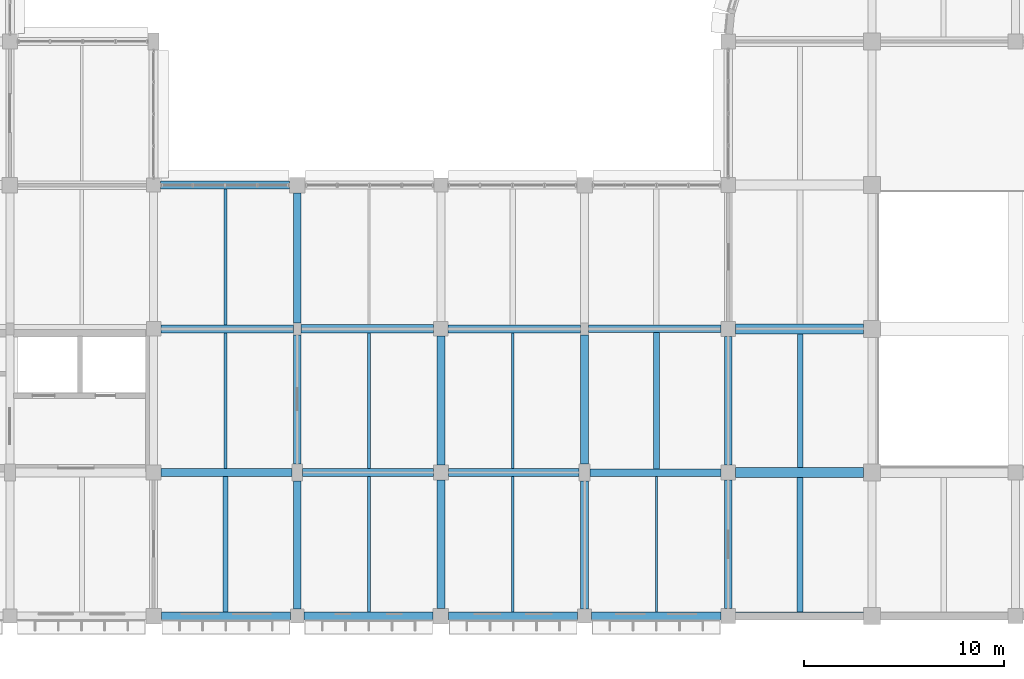
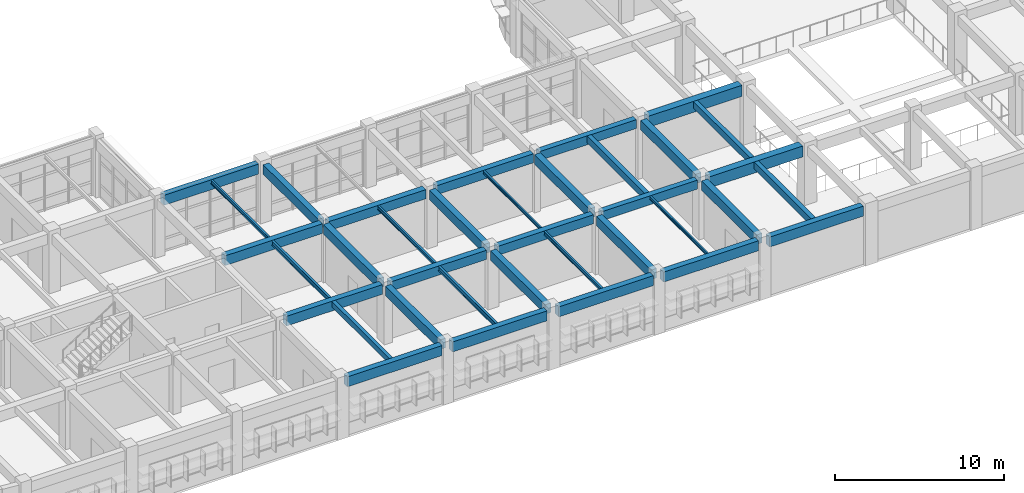
# One storey, part 14 of 171: 36 beams.
"""IFC4 building model written with IfcOpenShell, lengths in metres."""

from ifc_helpers import new_model, si_unit, direction, frame, origin, origin_2d, place, context, subcontext, project, spatial, rectangle, i_section, extrude, material, material_profile, profile_set, type_object, element, save


model = new_model("IFC4")

# Units and contexts
model_context = context("Model", 3, precision=1e-05, world=origin(), true_north=direction((0.0, 1.0)))
body_context = subcontext(model_context, "Body", "Model", "MODEL_VIEW")
ifc_project = project(units=[si_unit("LENGTHUNIT", "METRE"), si_unit("AREAUNIT", "SQUARE_METRE"), si_unit("VOLUMEUNIT", "CUBIC_METRE"), si_unit("PLANEANGLEUNIT", "RADIAN"), si_unit("MASSUNIT", "GRAM", prefix="KILO")], contexts=[model_context])

# Site, building, storey
site_placement = place(None, origin())
site = spatial("IfcSite", under=ifc_project, at=site_placement, CompositionType="ELEMENT")
building_placement = place(site_placement, origin())
building = spatial("IfcBuilding", under=site, at=building_placement, Name="Thalmaran Polytechnic", CompositionType="ELEMENT")
storey_placement = place(building_placement, frame((0.0, 0.0, 5.39990234375)))
storey = spatial("IfcBuildingStorey", under=building, at=storey_placement, Name="L01", CompositionType="ELEMENT", Elevation=5.39990234375)

# Beams
ifc_material_1 = material(Name="Concrete C40/50", Category="concrete")
ifc_material_profile_1 = material_profile(ifc_material_1, rectangle(XDim=0.5, YDim=0.800048828125, at=origin_2d()), Name="RC 500x800")
ifc_profile_set_1 = profile_set([ifc_material_profile_1], Name="Concrete C40/50")
beam_type_1 = type_object("IfcBeamType", Name="BM-RC02", PredefinedType="BEAM", material=ifc_profile_set_1)
for number, where, z_axis, x_axis, name in (
    (1, (57.97509765625, 7.199951171875, 3.81005859375), (1.0, 0.0, 0.0), (0.0, 1.0, 0.0), "Grid Beam B02 L01 X(8,1)"),
    (2, (57.97509765625, 14.39990234375, 3.81005859375), (1.0, 0.0, 0.0), (0.0, 1.0, 0.0), "Grid Beam B02 L01 X(8,2)"),
):
    element("IfcBeam", number, at=place(storey_placement, frame(where, z_axis=z_axis, x_axis=x_axis)), inside=storey, type_object=beam_type_1, Name=name, PredefinedType="BEAM", context=body_context, shape_type="SweptSolid", body=[
        extrude(rectangle(XDim=0.5, YDim=0.800048828125, at=origin_2d()), origin(), (0.0, 0.0, 1.0), 6.39990234375),
    ])
ifc_material_profile_2 = material_profile(ifc_material_1, rectangle(XDim=0.39990234375, YDim=0.699951171875, at=origin_2d()), Name="RC 400x700")
ifc_profile_set_2 = profile_set([ifc_material_profile_2], Name="Concrete C40/50")
beam_type_2 = type_object("IfcBeamType", Name="BM-RC05", PredefinedType="BEAM", material=ifc_profile_set_2)
beam_1_placement = place(storey_placement, frame((29.175048828125, 7.199951171875, 3.860107421875), z_axis=(1.0, 0.0, 0.0), x_axis=(0.0, 1.0, 0.0)))
element("IfcBeam", 3, at=beam_1_placement, inside=storey, type_object=beam_type_2, Name="Grid Beam B05 L01 X(4,1)", PredefinedType="BEAM", context=body_context, shape_type="SweptSolid", body=[
    extrude(rectangle(XDim=0.39990234375, YDim=0.699951171875, at=origin_2d()), origin(), (0.0, 0.0, 1.0), 6.550048828125),
])
beam_2_placement = place(storey_placement, frame((29.159912109375, 14.39990234375, 3.860107421875), z_axis=(1.0, 0.0, 0.0), x_axis=(0.0, 1.0, 0.0)))
element("IfcBeam", 4, at=beam_2_placement, inside=storey, type_object=beam_type_2, Name="Grid Beam B05 L01 X(4,2)", PredefinedType="BEAM", context=body_context, shape_type="SweptSolid", body=[
    extrude(rectangle(XDim=0.39990234375, YDim=0.699951171875, at=origin_2d()), origin(), (0.0, 0.0, 1.0), 6.64013671875),
])
ifc_material_profile_3 = material_profile(ifc_material_1, rectangle(XDim=0.39990234375, YDim=0.64990234375, at=origin_2d()), Name="RC 400x650")
ifc_profile_set_3 = profile_set([ifc_material_profile_3], Name="Concrete C40/50")
beam_type_3 = type_object("IfcBeamType", Name="BM-RC06", PredefinedType="BEAM", material=ifc_profile_set_3)
beam_3_placement = place(storey_placement, frame((43.574951171875, 7.199951171875, 3.885009765625), z_axis=(1.0, 0.0, 0.0), x_axis=(0.0, 1.0, 0.0)))
element("IfcBeam", 5, at=beam_3_placement, inside=storey, type_object=beam_type_3, Name="Grid Beam B06 L01 X(6,1)", PredefinedType="BEAM", context=body_context, shape_type="SweptSolid", body=[
    extrude(rectangle(XDim=0.39990234375, YDim=0.64990234375, at=origin_2d()), origin(), (0.0, 0.0, 1.0), 6.550048828125),
])
beam_4_placement = place(storey_placement, frame((43.56005859375, 14.39990234375, 3.885009765625), z_axis=(1.0, 0.0, 0.0), x_axis=(0.0, 1.0, 0.0)))
element("IfcBeam", 6, at=beam_4_placement, inside=storey, type_object=beam_type_3, Name="Grid Beam B06 L01 X(6,2)", PredefinedType="BEAM", context=body_context, shape_type="SweptSolid", body=[
    extrude(rectangle(XDim=0.39990234375, YDim=0.64990234375, at=origin_2d()), origin(), (0.0, 0.0, 1.0), 6.639892578125),
])
ifc_material_profile_4 = material_profile(ifc_material_1, rectangle(XDim=0.389892578125, YDim=0.68505859375, at=origin_2d()), Name="RC 390x685")
ifc_profile_set_4 = profile_set([ifc_material_profile_4], Name="Concrete C40/50")
beam_type_4 = type_object("IfcBeamType", Name="BM-RC08", PredefinedType="BEAM", material=ifc_profile_set_4)
beam_5_placement = place(storey_placement, frame((36.0, 0.35009765625, 3.86767578125), z_axis=(0.0, 1.0, 0.0), x_axis=(-1.0, 0.0, 0.0)))
element("IfcBeam", 7, at=beam_5_placement, inside=storey, type_object=beam_type_4, Name="Grid Beam B08 L01 Y(5,0)", PredefinedType="BEAM", context=body_context, shape_type="SweptSolid", body=[
    extrude(rectangle(XDim=0.389892578125, YDim=0.68505859375, at=origin_2d()), origin(), (0.0, 0.0, 1.0), 6.4248046875),
])
beam_6_placement = place(storey_placement, frame((43.199951171875, 0.389892578125, 3.86767578125), z_axis=(0.0, 1.0, 0.0), x_axis=(-1.0, 0.0, 0.0)))
element("IfcBeam", 8, at=beam_6_placement, inside=storey, type_object=beam_type_4, Name="Grid Beam B08 L01 Y(6,0)", PredefinedType="BEAM", context=body_context, shape_type="SweptSolid", body=[
    extrude(rectangle(XDim=0.389892578125, YDim=0.68505859375, at=origin_2d()), origin(), (0.0, 0.0, 1.0), 6.43505859375),
])
beam_7_placement = place(storey_placement, frame((50.39990234375, 0.35009765625, 3.86767578125), z_axis=(0.0, 1.0, 0.0), x_axis=(-1.0, 0.0, 0.0)))
element("IfcBeam", 9, at=beam_7_placement, inside=storey, type_object=beam_type_4, Name="Grid Beam B08 L01 Y(7,0)", PredefinedType="BEAM", context=body_context, shape_type="SweptSolid", body=[
    extrude(rectangle(XDim=0.389892578125, YDim=0.68505859375, at=origin_2d()), origin(), (0.0, 0.0, 1.0), 6.4248046875),
])
beam_8_placement = place(storey_placement, frame((57.60009765625, 0.375, 3.86767578125), z_axis=(0.0, 1.0, 0.0), x_axis=(-1.0, 0.0, 0.0)))
element("IfcBeam", 10, at=beam_8_placement, inside=storey, type_object=beam_type_4, Name="Grid Beam B08 L01 Y(8,0)", PredefinedType="BEAM", context=body_context, shape_type="SweptSolid", body=[
    extrude(rectangle(XDim=0.389892578125, YDim=0.68505859375, at=origin_2d()), origin(), (0.0, 0.0, 1.0), 6.449951171875),
])
ifc_material_profile_5 = material_profile(ifc_material_1, rectangle(XDim=0.389892578125, YDim=0.68994140625, at=origin_2d()), Name="RC 390x690")
ifc_profile_set_5 = profile_set([ifc_material_profile_5], Name="Concrete C40/50")
beam_type_5 = type_object("IfcBeamType", Name="BM-RC09", PredefinedType="BEAM", material=ifc_profile_set_5)
beam_9_placement = place(storey_placement, frame((36.0, 14.699951171875, 3.864990234375), z_axis=(0.0, 1.0, 0.0), x_axis=(-1.0, 0.0, 0.0)))
element("IfcBeam", 11, at=beam_9_placement, inside=storey, type_object=beam_type_5, Name="Grid Beam B09 L01 Y(5,2)", PredefinedType="BEAM", context=body_context, shape_type="SweptSolid", body=[
    extrude(rectangle(XDim=0.389892578125, YDim=0.68994140625, at=origin_2d()), origin(), (0.0, 0.0, 1.0), 6.510009765625),
])
ifc_material_profile_6 = material_profile(ifc_material_1, rectangle(XDim=0.300048828125, YDim=0.5, at=origin_2d()), Name="RC 300x500")
ifc_profile_set_6 = profile_set([ifc_material_profile_6], Name="Concrete C40/50")
beam_type_6 = type_object("IfcBeamType", Name="BM-RC11", PredefinedType="JOIST", material=ifc_profile_set_6)
beam_10_placement = place(storey_placement, frame((54.0, 7.389892578125, 3.960205078125), z_axis=(0.0, 1.0, 0.0), x_axis=(-1.0, 0.0, 0.0)))
element("IfcBeam", 12, at=beam_10_placement, inside=storey, type_object=beam_type_6, Name="Secondary Floor Rib RB01 L01 (7,1)", PredefinedType="JOIST", context=body_context, shape_type="SweptSolid", body=[
    extrude(rectangle(XDim=0.300048828125, YDim=0.5, at=origin_2d()), origin(), (0.0, 0.0, 1.0), 6.820068359375),
])
beam_11_placement = place(storey_placement, frame((61.199951171875, 0.199951171875, 3.960205078125), z_axis=(0.0, 1.0, 0.0), x_axis=(-1.0, 0.0, 0.0)))
element("IfcBeam", 13, at=beam_11_placement, inside=storey, type_object=beam_type_6, Name="Secondary Floor Rib RB01 L01 (8,0)", PredefinedType="JOIST", context=body_context, shape_type="SweptSolid", body=[
    extrude(rectangle(XDim=0.300048828125, YDim=0.5, at=origin_2d()), origin(), (0.0, 0.0, 1.0), 6.75),
])
ifc_material_2 = material(Name="Steel S355", Category="steel")
ifc_material_profile_7 = material_profile(ifc_material_2, i_section(OverallWidth=0.159912109375, OverallDepth=0.330078125, WebThickness=0.007568359375, FlangeThickness=0.011474609375, at=origin_2d()), Name="IPE 330")
ifc_profile_set_7 = profile_set([ifc_material_profile_7], Name="Steel S355")
beam_type_7 = type_object("IfcBeamType", Name="BM-SJ02", PredefinedType="JOIST", material=ifc_profile_set_7)
beam_12_placement = place(storey_placement, frame((32.39990234375, 7.39990234375, 4.045166015625), z_axis=(0.0, 1.0, 0.0), x_axis=(-1.0, 0.0, 0.0)))
element("IfcBeam", 14, at=beam_12_placement, inside=storey, type_object=beam_type_7, Name="Secondary Floor Rib SJ02 L01 (4,1)", PredefinedType="JOIST", context=body_context, shape_type="SweptSolid", body=[
    extrude(i_section(OverallWidth=0.159912109375, OverallDepth=0.330078125, WebThickness=0.007568359375, FlangeThickness=0.011474609375, at=origin_2d()), origin(), (0.0, 0.0, 1.0), 6.800048828125),
])
beam_13_placement = place(storey_placement, frame((39.60009765625, 0.199951171875, 4.045166015625), z_axis=(0.0, 1.0, 0.0), x_axis=(-1.0, 0.0, 0.0)))
element("IfcBeam", 15, at=beam_13_placement, inside=storey, type_object=beam_type_7, Name="Secondary Floor Rib SJ02 L01 (5,0)", PredefinedType="JOIST", context=body_context, shape_type="SweptSolid", body=[
    extrude(i_section(OverallWidth=0.159912109375, OverallDepth=0.330078125, WebThickness=0.007568359375, FlangeThickness=0.011474609375, at=origin_2d()), origin(), (0.0, 0.0, 1.0), 6.7900390625),
])
ifc_material_profile_8 = material_profile(ifc_material_2, i_section(OverallWidth=0.135009765625, OverallDepth=0.27001953125, WebThickness=0.006591796875, FlangeThickness=0.01025390625, at=origin_2d()), Name="IPE 270")
ifc_profile_set_8 = profile_set([ifc_material_profile_8], Name="Steel S355")
beam_type_8 = type_object("IfcBeamType", Name="BM-SJ03", PredefinedType="JOIST", material=ifc_profile_set_8)
beam_14_placement = place(storey_placement, frame((32.39990234375, 14.60009765625, 4.0751953125), z_axis=(0.0, 1.0, 0.0), x_axis=(-1.0, 0.0, 0.0)))
element("IfcBeam", 16, at=beam_14_placement, inside=storey, type_object=beam_type_8, Name="Secondary Floor Rib SJ03 L01 (4,2)", PredefinedType="JOIST", context=body_context, shape_type="SweptSolid", body=[
    extrude(i_section(OverallWidth=0.135009765625, OverallDepth=0.27001953125, WebThickness=0.006591796875, FlangeThickness=0.01025390625, at=origin_2d()), origin(), (0.0, 0.0, 1.0), 6.7998046875),
])
beam_15_placement = place(storey_placement, frame((39.60009765625, 7.409912109375, 4.0751953125), z_axis=(0.0, 1.0, 0.0), x_axis=(-1.0, 0.0, 0.0)))
element("IfcBeam", 17, at=beam_15_placement, inside=storey, type_object=beam_type_8, Name="Secondary Floor Rib SJ03 L01 (5,1)", PredefinedType="JOIST", context=body_context, shape_type="SweptSolid", body=[
    extrude(i_section(OverallWidth=0.135009765625, OverallDepth=0.27001953125, WebThickness=0.006591796875, FlangeThickness=0.01025390625, at=origin_2d()), origin(), (0.0, 0.0, 1.0), 6.780029296875),
])
beam_16_placement = place(storey_placement, frame((46.800048828125, 0.199951171875, 4.0751953125), z_axis=(0.0, 1.0, 0.0), x_axis=(-1.0, 0.0, 0.0)))
element("IfcBeam", 18, at=beam_16_placement, inside=storey, type_object=beam_type_8, Name="Secondary Floor Rib SJ03 L01 (6,0)", PredefinedType="JOIST", context=body_context, shape_type="SweptSolid", body=[
    extrude(i_section(OverallWidth=0.135009765625, OverallDepth=0.27001953125, WebThickness=0.006591796875, FlangeThickness=0.01025390625, at=origin_2d()), origin(), (0.0, 0.0, 1.0), 6.800048828125),
])
ifc_material_profile_9 = material_profile(ifc_material_2, i_section(OverallWidth=0.110107421875, OverallDepth=0.219970703125, WebThickness=0.005859375, FlangeThickness=0.00927734375, at=origin_2d()), Name="IPE 220")
ifc_profile_set_9 = profile_set([ifc_material_profile_9], Name="Steel S355")
beam_type_9 = type_object("IfcBeamType", Name="BM-SJ04", PredefinedType="JOIST", material=ifc_profile_set_9)
beam_17_placement = place(storey_placement, frame((46.800048828125, 7.39990234375, 4.10009765625), z_axis=(0.0, 1.0, 0.0), x_axis=(-1.0, 0.0, 0.0)))
element("IfcBeam", 19, at=beam_17_placement, inside=storey, type_object=beam_type_9, Name="Secondary Floor Rib SJ04 L01 (6,1)", PredefinedType="JOIST", context=body_context, shape_type="SweptSolid", body=[
    extrude(i_section(OverallWidth=0.110107421875, OverallDepth=0.219970703125, WebThickness=0.005859375, FlangeThickness=0.00927734375, at=origin_2d()), origin(), (0.0, 0.0, 1.0), 6.800048828125),
])
beam_18_placement = place(storey_placement, frame((54.0, 0.199951171875, 4.10009765625), z_axis=(0.0, 1.0, 0.0), x_axis=(-1.0, 0.0, 0.0)))
element("IfcBeam", 20, at=beam_18_placement, inside=storey, type_object=beam_type_9, Name="Secondary Floor Rib SJ04 L01 (7,0)", PredefinedType="JOIST", context=body_context, shape_type="SweptSolid", body=[
    extrude(i_section(OverallWidth=0.110107421875, OverallDepth=0.219970703125, WebThickness=0.005859375, FlangeThickness=0.00927734375, at=origin_2d()), origin(), (0.0, 0.0, 1.0), 6.81005859375),
])
ifc_material_profile_10 = material_profile(ifc_material_1, rectangle(XDim=0.39990234375, YDim=0.719970703125, at=origin_2d()), Name="RC 400x720")
ifc_profile_set_10 = profile_set([ifc_material_profile_10], Name="Concrete C40/50")
beam_type_10 = type_object("IfcBeamType", Name="BM-SP01", PredefinedType="SPANDREL", material=ifc_profile_set_10)
beam_19_placement = place(storey_placement, frame((29.18994140625, 0.0, 3.85009765625), z_axis=(1.0, 0.0, 0.0), x_axis=(0.0, 1.0, 0.0)))
element("IfcBeam", 21, at=beam_19_placement, inside=storey, type_object=beam_type_10, Name="Grid Beam SP01 L01 X(4,0)", PredefinedType="SPANDREL", context=body_context, shape_type="SweptSolid", body=[
    extrude(rectangle(XDim=0.39990234375, YDim=0.719970703125, at=origin_2d()), origin(), (0.0, 0.0, 1.0), 6.4599609375),
])
beam_20_placement = place(storey_placement, frame((29.14990234375, 21.60009765625, 3.85009765625), z_axis=(1.0, 0.0, 0.0), x_axis=(0.0, 1.0, 0.0)))
element("IfcBeam", 22, at=beam_20_placement, inside=storey, type_object=beam_type_10, Name="Grid Beam SP01 L01 X(4,3)", PredefinedType="SPANDREL", context=body_context, shape_type="SweptSolid", body=[
    extrude(rectangle(XDim=0.39990234375, YDim=0.719970703125, at=origin_2d()), origin(), (0.0, 0.0, 1.0), 6.460205078125),
])
for number, where, z_axis, x_axis, name in (
    (23, (36.35009765625, 0.0, 3.85009765625), (1.0, 0.0, 0.0), (0.0, 1.0, 0.0), "Grid Beam SP01 L01 X(5,0)"),
    (24, (43.590087890625, 0.0, 3.85009765625), (1.0, 0.0, 0.0), (0.0, 1.0, 0.0), "Grid Beam SP01 L01 X(6,0)"),
):
    element("IfcBeam", number, at=place(storey_placement, frame(where, z_axis=z_axis, x_axis=x_axis)), inside=storey, type_object=beam_type_10, Name=name, PredefinedType="SPANDREL", context=body_context, shape_type="SweptSolid", body=[
        extrude(rectangle(XDim=0.39990234375, YDim=0.719970703125, at=origin_2d()), origin(), (0.0, 0.0, 1.0), 6.4599609375),
    ])
beam_21_placement = place(storey_placement, frame((50.75, 0.0, 3.85009765625), z_axis=(1.0, 0.0, 0.0), x_axis=(0.0, 1.0, 0.0)))
element("IfcBeam", 25, at=beam_21_placement, inside=storey, type_object=beam_type_10, Name="Grid Beam SP01 L01 X(7,0)", PredefinedType="SPANDREL", context=body_context, shape_type="SweptSolid", body=[
    extrude(rectangle(XDim=0.39990234375, YDim=0.719970703125, at=origin_2d()), origin(), (0.0, 0.0, 1.0), 6.47509765625),
])
beam_22_placement = place(storey_placement, frame((57.97509765625, 0.0, 3.85009765625), z_axis=(1.0, 0.0, 0.0), x_axis=(0.0, 1.0, 0.0)))
element("IfcBeam", 26, at=beam_22_placement, inside=storey, type_object=beam_type_10, Name="Grid Beam SP01 L01 X(8,0)", PredefinedType="SPANDREL", context=body_context, shape_type="SweptSolid", body=[
    extrude(rectangle(XDim=0.39990234375, YDim=0.719970703125, at=origin_2d()), origin(), (0.0, 0.0, 1.0), 6.39990234375),
])
ifc_material_profile_11 = material_profile(ifc_material_1, rectangle(XDim=0.419921875, YDim=0.659912109375, at=origin_2d()), Name="RC 420x660")
ifc_profile_set_11 = profile_set([ifc_material_profile_11], Name="Concrete C40/50")
beam_type_11 = type_object("IfcBeamType", Name="BM-ZB04", PredefinedType="BEAM", material=ifc_profile_set_11)
beam_23_placement = place(storey_placement, frame((36.27490234375, 7.199951171875, 3.880126953125), z_axis=(1.0, 0.0, 0.0), x_axis=(0.0, 1.0, 0.0)))
element("IfcBeam", 27, at=beam_23_placement, inside=storey, type_object=beam_type_11, Name="Grid Beam ZB04 L01 X(5,1)", PredefinedType="BEAM", context=body_context, shape_type="SweptSolid", body=[
    extrude(rectangle(XDim=0.419921875, YDim=0.659912109375, at=origin_2d()), origin(), (0.0, 0.0, 1.0), 6.550048828125),
])
beam_24_placement = place(storey_placement, frame((36.199951171875, 14.39990234375, 3.880126953125), z_axis=(1.0, 0.0, 0.0), x_axis=(0.0, 1.0, 0.0)))
element("IfcBeam", 28, at=beam_24_placement, inside=storey, type_object=beam_type_11, Name="Grid Beam ZB04 L01 X(5,2)", PredefinedType="BEAM", context=body_context, shape_type="SweptSolid", body=[
    extrude(rectangle(XDim=0.419921875, YDim=0.659912109375, at=origin_2d()), origin(), (0.0, 0.0, 1.0), 6.64013671875),
])
ifc_material_profile_12 = material_profile(ifc_material_1, rectangle(XDim=0.3798828125, YDim=0.639892578125, at=origin_2d()), Name="RC 380x640")
ifc_profile_set_12 = profile_set([ifc_material_profile_12], Name="Concrete C40/50")
beam_type_12 = type_object("IfcBeamType", Name="BM-ZB05", PredefinedType="BEAM", material=ifc_profile_set_12)
beam_25_placement = place(storey_placement, frame((50.675048828125, 7.199951171875, 3.89013671875), z_axis=(1.0, 0.0, 0.0), x_axis=(0.0, 1.0, 0.0)))
element("IfcBeam", 29, at=beam_25_placement, inside=storey, type_object=beam_type_12, Name="Grid Beam ZB05 L01 X(7,1)", PredefinedType="BEAM", context=body_context, shape_type="SweptSolid", body=[
    extrude(rectangle(XDim=0.3798828125, YDim=0.639892578125, at=origin_2d()), origin(), (0.0, 0.0, 1.0), 6.550048828125),
])
beam_26_placement = place(storey_placement, frame((50.60009765625, 14.39990234375, 3.89013671875), z_axis=(1.0, 0.0, 0.0), x_axis=(0.0, 1.0, 0.0)))
element("IfcBeam", 30, at=beam_26_placement, inside=storey, type_object=beam_type_12, Name="Grid Beam ZB05 L01 X(7,2)", PredefinedType="BEAM", context=body_context, shape_type="SweptSolid", body=[
    extrude(rectangle(XDim=0.3798828125, YDim=0.639892578125, at=origin_2d()), origin(), (0.0, 0.0, 1.0), 6.625),
])
ifc_material_profile_13 = material_profile(ifc_material_1, rectangle(XDim=0.39990234375, YDim=0.68505859375, at=origin_2d()), Name="RC 400x685")
ifc_profile_set_13 = profile_set([ifc_material_profile_13], Name="Concrete C40/50")
beam_type_13 = type_object("IfcBeamType", Name="BM-ZB07", PredefinedType="BEAM", material=ifc_profile_set_13)
beam_27_placement = place(storey_placement, frame((36.0, 7.625, 3.86767578125), z_axis=(0.0, 1.0, 0.0), x_axis=(-1.0, 0.0, 0.0)))
element("IfcBeam", 31, at=beam_27_placement, inside=storey, type_object=beam_type_13, Name="Grid Beam ZB07 L01 Y(5,1)", PredefinedType="BEAM", context=body_context, shape_type="SweptSolid", body=[
    extrude(rectangle(XDim=0.39990234375, YDim=0.68505859375, at=origin_2d()), origin(), (0.0, 0.0, 1.0), 6.47509765625),
])
beam_28_placement = place(storey_placement, frame((43.199951171875, 7.574951171875, 3.86767578125), z_axis=(0.0, 1.0, 0.0), x_axis=(-1.0, 0.0, 0.0)))
element("IfcBeam", 32, at=beam_28_placement, inside=storey, type_object=beam_type_13, Name="Grid Beam ZB07 L01 Y(6,1)", PredefinedType="BEAM", context=body_context, shape_type="SweptSolid", body=[
    extrude(rectangle(XDim=0.39990234375, YDim=0.68505859375, at=origin_2d()), origin(), (0.0, 0.0, 1.0), 6.465087890625),
])
beam_29_placement = place(storey_placement, frame((50.39990234375, 7.625, 3.86767578125), z_axis=(0.0, 1.0, 0.0), x_axis=(-1.0, 0.0, 0.0)))
element("IfcBeam", 33, at=beam_29_placement, inside=storey, type_object=beam_type_13, Name="Grid Beam ZB07 L01 Y(7,1)", PredefinedType="BEAM", context=body_context, shape_type="SweptSolid", body=[
    extrude(rectangle(XDim=0.39990234375, YDim=0.68505859375, at=origin_2d()), origin(), (0.0, 0.0, 1.0), 6.47509765625),
])
beam_30_placement = place(storey_placement, frame((57.60009765625, 7.574951171875, 3.86767578125), z_axis=(0.0, 1.0, 0.0), x_axis=(-1.0, 0.0, 0.0)))
element("IfcBeam", 34, at=beam_30_placement, inside=storey, type_object=beam_type_13, Name="Grid Beam ZB07 L01 Y(8,1)", PredefinedType="BEAM", context=body_context, shape_type="SweptSolid", body=[
    extrude(rectangle(XDim=0.39990234375, YDim=0.68505859375, at=origin_2d()), origin(), (0.0, 0.0, 1.0), 6.449951171875),
])
ifc_material_profile_14 = material_profile(ifc_material_1, rectangle(XDim=0.280029296875, YDim=0.47998046875, at=origin_2d()), Name="RC 280x480")
ifc_profile_set_14 = profile_set([ifc_material_profile_14], Name="Concrete C40/50")
beam_type_14 = type_object("IfcBeamType", Name="BM-ZJ01", PredefinedType="JOIST", material=ifc_profile_set_14)
beam_31_placement = place(storey_placement, frame((61.199951171875, 7.449951171875, 3.97021484375), z_axis=(0.0, 1.0, 0.0), x_axis=(-1.0, 0.0, 0.0)))
element("IfcBeam", 35, at=beam_31_placement, inside=storey, type_object=beam_type_14, Name="Secondary Floor Rib ZJ01 L01 (8,1)", PredefinedType="JOIST", context=body_context, shape_type="SweptSolid", body=[
    extrude(rectangle(XDim=0.280029296875, YDim=0.47998046875, at=origin_2d()), origin(), (0.0, 0.0, 1.0), 6.699951171875),
])
ifc_material_profile_15 = material_profile(ifc_material_1, rectangle(XDim=0.239990234375, YDim=0.39990234375, at=origin_2d()), Name="RC 240x400")
ifc_profile_set_15 = profile_set([ifc_material_profile_15], Name="Concrete C40/50")
beam_type_15 = type_object("IfcBeamType", Name="BM-ZJ04", PredefinedType="JOIST", material=ifc_profile_set_15)
beam_32_placement = place(storey_placement, frame((32.39990234375, 0.199951171875, 4.010009765625), z_axis=(0.0, 1.0, 0.0), x_axis=(-1.0, 0.0, 0.0)))
element("IfcBeam", 36, at=beam_32_placement, inside=storey, type_object=beam_type_15, Name="Secondary Floor Rib ZJ04 L01 (4,0)", PredefinedType="JOIST", context=body_context, shape_type="SweptSolid", body=[
    extrude(rectangle(XDim=0.239990234375, YDim=0.39990234375, at=origin_2d()), origin(), (0.0, 0.0, 1.0), 6.800048828125),
])

save(model, "model.ifc")
